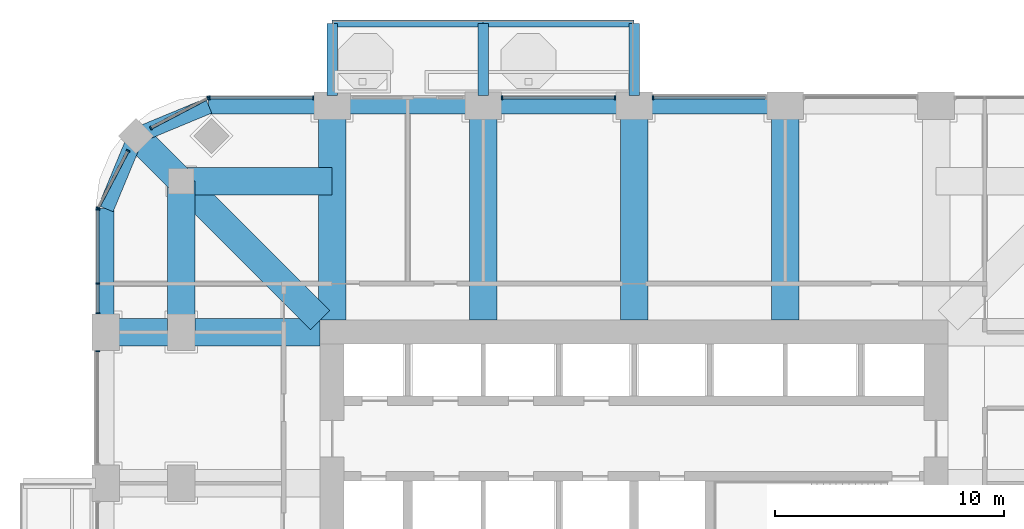
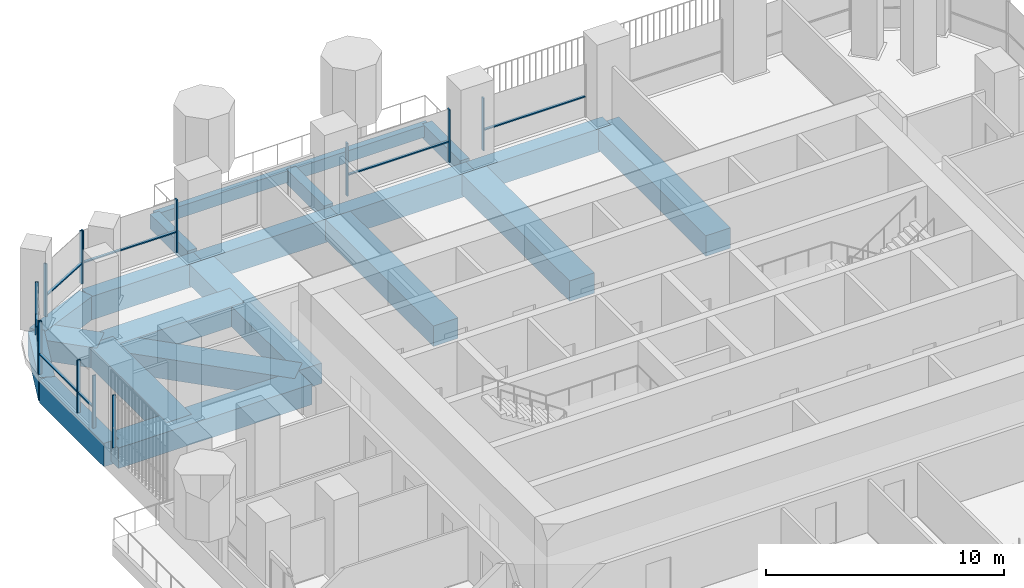
# One storey, part 6 of 20: 21 beams, 20 members, 7 elements without a shape of their own.
"""IFC4 building model written with IfcOpenShell, lengths in metres."""

from ifc_helpers import new_model, si_unit, direction, frame, origin, origin_2d, place, context, subcontext, project, spatial, rectangle, extrude, material, material_profile, profile_set, type_object, element, aggregate, save


model = new_model("IFC4")

# Units and contexts
model_context = context("Model", 3, precision=1e-05, world=origin(), true_north=direction((0.0, 1.0)))
body_context = subcontext(model_context, "Body", "Model", "MODEL_VIEW")
ifc_project = project(units=[si_unit("LENGTHUNIT", "METRE"), si_unit("AREAUNIT", "SQUARE_METRE"), si_unit("VOLUMEUNIT", "CUBIC_METRE"), si_unit("PLANEANGLEUNIT", "RADIAN"), si_unit("MASSUNIT", "GRAM", prefix="KILO")], contexts=[model_context])

# Site, building, storey
site_placement = place(None, origin())
site = spatial("IfcSite", under=ifc_project, at=site_placement, CompositionType="ELEMENT")
building_placement = place(site_placement, origin())
building = spatial("IfcBuilding", under=site, at=building_placement, Name="Cobogo Forest Laboratory Tower", CompositionType="ELEMENT")
storey_placement = place(building_placement, frame((0.0, 0.0, 193.5)))
storey = spatial("IfcBuildingStorey", under=building, at=storey_placement, Name="L44", CompositionType="ELEMENT", Elevation=193.5)

# Beams
ifc_material_1 = material(Name="Concrete HA-40 (C40/50)", Category="concrete")
ifc_material_profile_1 = material_profile(ifc_material_1, rectangle(XDim=0.449951171875, YDim=0.75, at=origin_2d()), Name="RC 450x750")
ifc_profile_set_1 = profile_set([ifc_material_profile_1], Name="Concrete HA-40 (C40/50)")
beam_type_1 = type_object("IfcBeamType", Name="Balcony cantilever beam 450x750", PredefinedType="BEAM", material=ifc_profile_set_1)
for number, where, z_axis, x_axis, name in (
    (1, (13.199951171875, 43.35009765625, -0.625), (0.0, 1.0, 0.0), (-1.0, 0.0, 0.0), "CB1 BAL-N1-C1 L44"),
    (2, (19.800048828125, 43.35009765625, -0.625), (0.0, 1.0, 0.0), (-1.0, 0.0, 0.0), "CB1 BAL-N1-C2 L44"),
    (3, (26.39990234375, 43.35009765625, -0.625), (0.0, 1.0, 0.0), (-1.0, 0.0, 0.0), "CB1 BAL-N1-C3 L44"),
):
    element("IfcBeam", number, at=place(storey_placement, frame(where, z_axis=z_axis, x_axis=x_axis)), inside=storey, type_object=beam_type_1, Name=name, PredefinedType="BEAM", context=body_context, shape_type="SweptSolid", body=[
        extrude(rectangle(XDim=0.449951171875, YDim=0.75, at=origin_2d()), origin(), (0.0, 0.0, 1.0), 3.14990234375),
    ])
ifc_material_profile_2 = material_profile(ifc_material_1, rectangle(XDim=0.300048828125, YDim=0.60009765625, at=origin_2d()), Name="RC 300x600")
ifc_profile_set_2 = profile_set([ifc_material_profile_2], Name="Concrete HA-40 (C40/50)")
beam_type_2 = type_object("IfcBeamType", Name="Balcony edge beam 300x600", PredefinedType="BEAM", material=ifc_profile_set_2)
beam_1_placement = place(storey_placement, frame((13.199951171875, 46.5, -0.550048828125), z_axis=(1.0, 0.0, 0.0), x_axis=(0.0, 1.0, 0.0)))
element("IfcBeam", 4, at=beam_1_placement, inside=storey, type_object=beam_type_2, Name="BB1 BAL-N1-T1 L44", PredefinedType="BEAM", context=body_context, shape_type="SweptSolid", body=[
    extrude(rectangle(XDim=0.300048828125, YDim=0.60009765625, at=origin_2d()), origin(), (0.0, 0.0, 1.0), 6.60009765625),
])
beam_2_placement = place(storey_placement, frame((19.800048828125, 46.5, -0.550048828125), z_axis=(1.0, 0.0, 0.0), x_axis=(0.0, 1.0, 0.0)))
element("IfcBeam", 5, at=beam_2_placement, inside=storey, type_object=beam_type_2, Name="BB1 BAL-N1-T2 L44", PredefinedType="BEAM", context=body_context, shape_type="SweptSolid", body=[
    extrude(rectangle(XDim=0.300048828125, YDim=0.60009765625, at=origin_2d()), origin(), (0.0, 0.0, 1.0), 6.599853515625),
])
ifc_material_profile_3 = material_profile(ifc_material_1, rectangle(XDim=1.199951171875, YDim=1.050048828125, at=origin_2d()), Name="RC 1200x1050")
ifc_profile_set_3 = profile_set([ifc_material_profile_3], Name="Concrete HA-40 (C40/50)")
beam_type_3 = type_object("IfcBeamType", Name="Laboratory floor wide beam 1200x1050", PredefinedType="BEAM", material=ifc_profile_set_3)
for number, where, z_axis, x_axis, name in (
    (6, (13.199951171875, 33.52490234375, -0.824951171875), (0.0, 1.0, 0.0), (-1.0, 0.0, 0.0), "RB1 R-3-N L44"),
    (7, (19.800048828125, 33.52490234375, -0.824951171875), (0.0, 1.0, 0.0), (-1.0, 0.0, 0.0), "RB1 R-4-N L44"),
    (8, (26.39990234375, 33.52490234375, -0.824951171875), (0.0, 1.0, 0.0), (-1.0, 0.0, 0.0), "RB1 R-5-N L44"),
    (9, (33.0, 33.52490234375, -0.824951171875), (0.0, 1.0, 0.0), (-1.0, 0.0, 0.0), "RB1 R-6-N L44"),
    (10, (12.675048828125, 33.0, -0.824951171875), (-1.0, 0.0, 0.0), (0.0, -1.0, 0.0), "RB1 R-F-W L44"),
):
    element("IfcBeam", number, at=place(storey_placement, frame(where, z_axis=z_axis, x_axis=x_axis)), inside=storey, type_object=beam_type_3, Name=name, PredefinedType="BEAM", context=body_context, shape_type="SweptSolid", body=[
        extrude(rectangle(XDim=1.199951171875, YDim=1.050048828125, at=origin_2d()), origin(), (0.0, 0.0, 1.0), 9.375),
    ])
beam_3_placement = place(storey_placement, frame((6.60009765625, 39.60009765625, -0.824951171875), z_axis=(0.0, -1.0, 0.0), x_axis=(1.0, 0.0, 0.0)))
element("IfcBeam", 11, at=beam_3_placement, inside=storey, type_object=beam_type_3, Name="RB1 G-NW-XC L44", PredefinedType="BEAM", context=body_context, shape_type="SweptSolid", body=[
    extrude(rectangle(XDim=1.199951171875, YDim=1.050048828125, at=origin_2d()), origin(), (0.0, 0.0, 1.0), 6.60009765625),
])
beam_4_placement = place(storey_placement, frame((6.60009765625, 39.60009765625, -0.824951171875), z_axis=(1.0, 0.0, 0.0), x_axis=(0.0, 1.0, 0.0)))
element("IfcBeam", 12, at=beam_4_placement, inside=storey, type_object=beam_type_3, Name="RB1 G-NW-YC L44", PredefinedType="BEAM", context=body_context, shape_type="SweptSolid", body=[
    extrude(rectangle(XDim=1.199951171875, YDim=1.050048828125, at=origin_2d()), origin(), (0.0, 0.0, 1.0), 6.599853515625),
])
beam_5_placement = place(storey_placement, frame((4.617919921875, 41.58203125, -0.824951171875), z_axis=(0.707150328948, -0.707063230743, 0.0), x_axis=(0.707063230743, 0.707150328948, 0.0)))
element("IfcBeam", 13, at=beam_5_placement, inside=storey, type_object=beam_type_3, Name="RB1 G-NW-D1 L44", PredefinedType="BEAM", context=body_context, shape_type="SweptSolid", body=[
    extrude(rectangle(XDim=1.199951171875, YDim=1.050048828125, at=origin_2d()), origin(), (0.0, 0.0, 1.0), 2.802978515625),
])
beam_6_placement = place(storey_placement, frame((6.60009765625, 39.60009765625, -0.824951171875), z_axis=(0.707092572697, -0.70712098939, 0.0), x_axis=(0.70712098939, 0.707092572697, 0.0)))
element("IfcBeam", 14, at=beam_6_placement, inside=storey, type_object=beam_type_3, Name="RB1 G-NW-D2 L44", PredefinedType="BEAM", context=body_context, shape_type="SweptSolid", body=[
    extrude(rectangle(XDim=1.199951171875, YDim=1.050048828125, at=origin_2d()), origin(), (0.0, 0.0, 1.0), 8.591552734375),
])

# Curtain wall, member
ifc_material_2 = material(Name="Aluminium curtain wall", Category="aluminium")
curtain_wall_type = type_object("IfcCurtainWallType", Name="CW-2 unitised curtain wall, solar control glazing, laboratory floors zones C and D", PredefinedType="USERDEFINED", material=ifc_material_2)
curtain_wall_1_placement = place(storey_placement, origin())
curtain_wall_1 = element("IfcCurtainWall", 15, at=curtain_wall_1_placement, inside=storey, type_object=curtain_wall_type, Name="Curtain wall 18 L44", ObjectType="UNITISED CURTAIN WALL", PredefinedType="USERDEFINED")
ifc_material_3 = material(Name="Aluminium mullion", Category="aluminium")
ifc_material_profile_4 = material_profile(ifc_material_3, rectangle(XDim=0.06005859375, YDim=0.159912109375, at=origin_2d()), Name="AL 60x160")
ifc_profile_set_4 = profile_set([ifc_material_profile_4], Name="Aluminium mullion")
member_type_1 = type_object("IfcMemberType", Name="MU-1 aluminium mullion 60x160", PredefinedType="MULLION", material=ifc_profile_set_4)
member_1_placement = place(storey_placement, frame((27.22998046875, 43.25, 0.0), z_axis=(0.0, 0.0, 1.0), x_axis=(-1.0, 0.0, 0.0)))
member_1 = element("IfcMember", 16, at=member_1_placement, type_object=member_type_1, Name="CW-2 mullion 2", PredefinedType="MULLION", context=body_context, shape_type="SweptSolid", body=[
    extrude(rectangle(XDim=0.06005859375, YDim=0.159912109375, at=origin_2d()), origin(), (0.0, 0.0, 1.0), 2.699951171875),
])

# Curtain wall, members
curtain_wall_2_placement = place(storey_placement, origin())
curtain_wall_2 = element("IfcCurtainWall", 17, at=curtain_wall_2_placement, inside=storey, type_object=curtain_wall_type, Name="Curtain wall 19 L44", ObjectType="UNITISED CURTAIN WALL", PredefinedType="USERDEFINED")
member_2_placement = place(storey_placement, frame((25.570068359375, 43.25, 0.0), z_axis=(0.0, 0.0, 1.0), x_axis=(-1.0, 0.0, 0.0)))
member_2 = element("IfcMember", 18, at=member_2_placement, type_object=member_type_1, Name="CW-2 mullion 1", PredefinedType="MULLION", context=body_context, shape_type="SweptSolid", body=[
    extrude(rectangle(XDim=0.06005859375, YDim=0.159912109375, at=origin_2d()), origin(), (0.0, 0.0, 1.0), 2.699951171875),
])
member_3_placement = place(storey_placement, frame((20.6298828125, 43.25, 0.0), z_axis=(0.0, 0.0, 1.0), x_axis=(-1.0, 0.0, 0.0)))
member_3 = element("IfcMember", 19, at=member_3_placement, type_object=member_type_1, Name="CW-2 mullion 2", PredefinedType="MULLION", context=body_context, shape_type="SweptSolid", body=[
    extrude(rectangle(XDim=0.06005859375, YDim=0.159912109375, at=origin_2d()), origin(), (0.0, 0.0, 1.0), 2.699951171875),
])

curtain_wall_3_placement = place(storey_placement, origin())
curtain_wall_3 = element("IfcCurtainWall", 20, at=curtain_wall_3_placement, inside=storey, type_object=curtain_wall_type, Name="Curtain wall 21 L44", ObjectType="UNITISED CURTAIN WALL", PredefinedType="USERDEFINED")
member_4_placement = place(storey_placement, frame((12.3701171875, 43.25, 0.0), z_axis=(0.0, 0.0, 1.0), x_axis=(-1.0, 0.0, 0.0)))
member_4 = element("IfcMember", 21, at=member_4_placement, type_object=member_type_1, Name="CW-2 mullion 1", PredefinedType="MULLION", context=body_context, shape_type="SweptSolid", body=[
    extrude(rectangle(XDim=0.06005859375, YDim=0.159912109375, at=origin_2d()), origin(), (0.0, 0.0, 1.0), 2.699951171875),
])
member_5_placement = place(storey_placement, frame((7.830078125, 43.25, 0.0), z_axis=(0.0, 0.0, 1.0), x_axis=(-1.0, 0.0, 0.0)))
member_5 = element("IfcMember", 22, at=member_5_placement, type_object=member_type_1, Name="CW-2 mullion 2", PredefinedType="MULLION", context=body_context, shape_type="SweptSolid", body=[
    extrude(rectangle(XDim=0.06005859375, YDim=0.159912109375, at=origin_2d()), origin(), (0.0, 0.0, 1.0), 2.699951171875),
])

curtain_wall_4_placement = place(storey_placement, origin())
curtain_wall_4 = element("IfcCurtainWall", 23, at=curtain_wall_4_placement, inside=storey, type_object=curtain_wall_type, Name="Curtain wall 22 L44", ObjectType="UNITISED CURTAIN WALL", PredefinedType="USERDEFINED")
member_6_placement = place(storey_placement, frame((7.7734375, 43.236083984375, 0.0), z_axis=(0.0, 0.0, 1.0), x_axis=(-0.885686484356, -0.464283804832, 0.0)))
member_6 = element("IfcMember", 24, at=member_6_placement, type_object=member_type_1, Name="CW-2 mullion 1", PredefinedType="MULLION", context=body_context, shape_type="SweptSolid", body=[
    extrude(rectangle(XDim=0.06005859375, YDim=0.159912109375, at=origin_2d()), origin(), (0.0, 0.0, 1.0), 2.699951171875),
])
member_7_placement = place(storey_placement, frame((5.275634765625, 41.9267578125, 0.0), z_axis=(0.0, 0.0, 1.0), x_axis=(-0.885686484356, -0.464283804832, 0.0)))
member_7 = element("IfcMember", 25, at=member_7_placement, type_object=member_type_1, Name="CW-2 mullion 2", PredefinedType="MULLION", context=body_context, shape_type="SweptSolid", body=[
    extrude(rectangle(XDim=0.06005859375, YDim=0.159912109375, at=origin_2d()), origin(), (0.0, 0.0, 1.0), 2.699951171875),
])

curtain_wall_5_placement = place(storey_placement, origin())
curtain_wall_5 = element("IfcCurtainWall", 26, at=curtain_wall_5_placement, inside=storey, type_object=curtain_wall_type, Name="Curtain wall 23 L44", ObjectType="UNITISED CURTAIN WALL", PredefinedType="USERDEFINED")
member_8_placement = place(storey_placement, frame((4.2734375, 40.924560546875, 0.0), z_axis=(0.0, 0.0, 1.0), x_axis=(-0.464283804832, -0.885686484356, 0.0)))
member_8 = element("IfcMember", 27, at=member_8_placement, type_object=member_type_1, Name="CW-2 mullion 1", PredefinedType="MULLION", context=body_context, shape_type="SweptSolid", body=[
    extrude(rectangle(XDim=0.06005859375, YDim=0.159912109375, at=origin_2d()), origin(), (0.0, 0.0, 1.0), 2.699951171875),
])
member_9_placement = place(storey_placement, frame((2.9638671875, 38.426513671875, 0.0), z_axis=(0.0, 0.0, 1.0), x_axis=(-0.464283804832, -0.885686484356, 0.0)))
member_9 = element("IfcMember", 28, at=member_9_placement, type_object=member_type_1, Name="CW-2 mullion 2", PredefinedType="MULLION", context=body_context, shape_type="SweptSolid", body=[
    extrude(rectangle(XDim=0.06005859375, YDim=0.159912109375, at=origin_2d()), origin(), (0.0, 0.0, 1.0), 2.699951171875),
])

curtain_wall_6_placement = place(storey_placement, origin())
curtain_wall_6 = element("IfcCurtainWall", 29, at=curtain_wall_6_placement, inside=storey, type_object=curtain_wall_type, Name="Curtain wall 24 L44", ObjectType="UNITISED CURTAIN WALL", PredefinedType="USERDEFINED")
member_10_placement = place(storey_placement, frame((2.949951171875, 38.3701171875, 0.0), z_axis=(0.0, 0.0, 1.0), x_axis=(0.0, -1.0, 0.0)))
member_10 = element("IfcMember", 30, at=member_10_placement, type_object=member_type_1, Name="CW-2 mullion 1", PredefinedType="MULLION", context=body_context, shape_type="SweptSolid", body=[
    extrude(rectangle(XDim=0.06005859375, YDim=0.159912109375, at=origin_2d()), origin(), (0.0, 0.0, 1.0), 2.699951171875),
])
member_11_placement = place(storey_placement, frame((2.949951171875, 35.125, 0.0), z_axis=(0.0, 0.0, 1.0), x_axis=(0.0, -1.0, 0.0)))
member_11 = element("IfcMember", 31, at=member_11_placement, type_object=member_type_1, Name="CW-2 mullion 2", PredefinedType="MULLION", context=body_context, shape_type="SweptSolid", body=[
    extrude(rectangle(XDim=0.06005859375, YDim=0.159912109375, at=origin_2d()), origin(), (0.0, 0.0, 1.0), 2.699951171875),
])
member_12_placement = place(storey_placement, frame((2.949951171875, 33.830078125, 0.0), z_axis=(0.0, 0.0, 1.0), x_axis=(0.0, -1.0, 0.0)))
member_12 = element("IfcMember", 32, at=member_12_placement, type_object=member_type_1, Name="CW-2 mullion 3", PredefinedType="MULLION", context=body_context, shape_type="SweptSolid", body=[
    extrude(rectangle(XDim=0.06005859375, YDim=0.159912109375, at=origin_2d()), origin(), (0.0, 0.0, 1.0), 2.699951171875),
])

# Curtain wall, member
curtain_wall_7_placement = place(storey_placement, origin())
curtain_wall_7 = element("IfcCurtainWall", 33, at=curtain_wall_7_placement, inside=storey, type_object=curtain_wall_type, Name="Curtain wall 25 L44", ObjectType="UNITISED CURTAIN WALL", PredefinedType="USERDEFINED")
member_13_placement = place(storey_placement, frame((2.949951171875, 32.169921875, 0.0), z_axis=(0.0, 0.0, 1.0), x_axis=(0.0, -1.0, 0.0)))
member_13 = element("IfcMember", 34, at=member_13_placement, type_object=member_type_1, Name="CW-2 mullion 1", PredefinedType="MULLION", context=body_context, shape_type="SweptSolid", body=[
    extrude(rectangle(XDim=0.06005859375, YDim=0.159912109375, at=origin_2d()), origin(), (0.0, 0.0, 1.0), 2.699951171875),
])
aggregate(curtain_wall_7, [member_13])

# Beams
ifc_material_profile_5 = material_profile(ifc_material_1, rectangle(XDim=0.699951171875, YDim=1.199951171875, at=origin_2d()), Name="RC 700x1200")
ifc_profile_set_5 = profile_set([ifc_material_profile_5], Name="Concrete HA-40 (C40/50)")
beam_type_4 = type_object("IfcBeamType", Name="Perimeter edge beam 700x1200", PredefinedType="BEAM", material=ifc_profile_set_5)
beam_7_placement = place(storey_placement, frame((13.199951171875, 42.89990234375, -0.89990234375), z_axis=(1.0, 0.0, 0.0), x_axis=(0.0, 1.0, 0.0)))
element("IfcBeam", 35, at=beam_7_placement, inside=storey, type_object=beam_type_4, Name="EB1 E-N1 L44", PredefinedType="BEAM", context=body_context, shape_type="SweptSolid", body=[
    extrude(rectangle(XDim=0.699951171875, YDim=1.199951171875, at=origin_2d()), origin(), (0.0, 0.0, 1.0), 6.60009765625),
])
beam_8_placement = place(storey_placement, frame((19.800048828125, 42.89990234375, -0.89990234375), z_axis=(1.0, 0.0, 0.0), x_axis=(0.0, 1.0, 0.0)))
element("IfcBeam", 36, at=beam_8_placement, inside=storey, type_object=beam_type_4, Name="EB1 E-N2 L44", PredefinedType="BEAM", context=body_context, shape_type="SweptSolid", body=[
    extrude(rectangle(XDim=0.699951171875, YDim=1.199951171875, at=origin_2d()), origin(), (0.0, 0.0, 1.0), 6.599853515625),
])
beam_9_placement = place(storey_placement, frame((26.39990234375, 42.89990234375, -0.89990234375), z_axis=(1.0, 0.0, 0.0), x_axis=(0.0, 1.0, 0.0)))
element("IfcBeam", 37, at=beam_9_placement, inside=storey, type_object=beam_type_4, Name="EB1 E-N3 L44", PredefinedType="BEAM", context=body_context, shape_type="SweptSolid", body=[
    extrude(rectangle(XDim=0.699951171875, YDim=1.199951171875, at=origin_2d()), origin(), (0.0, 0.0, 1.0), 6.60009765625),
])
beam_10_placement = place(storey_placement, frame((13.199951171875, 42.89990234375, -0.89990234375), z_axis=(-1.0, 0.0, 0.0), x_axis=(0.0, -1.0, 0.0)))
element("IfcBeam", 38, at=beam_10_placement, inside=storey, type_object=beam_type_4, Name="EB1 E-NWN1 L44", PredefinedType="BEAM", context=body_context, shape_type="SweptSolid", body=[
    extrude(rectangle(XDim=0.699951171875, YDim=1.199951171875, at=origin_2d()), origin(), (0.0, 0.0, 1.0), 5.39990234375),
])
beam_11_placement = place(storey_placement, frame((7.800048828125, 42.89990234375, -0.89990234375), z_axis=(-0.923901072997, -0.382631424892, 0.0), x_axis=(0.382631424892, -0.923901072997, 0.0)))
element("IfcBeam", 39, at=beam_11_placement, inside=storey, type_object=beam_type_4, Name="EB1 E-NWN2 L44", PredefinedType="BEAM", context=body_context, shape_type="SweptSolid", body=[
    extrude(rectangle(XDim=0.699951171875, YDim=1.199951171875, at=origin_2d()), origin(), (0.0, 0.0, 1.0), 3.4443359375),
])
beam_12_placement = place(storey_placement, frame((3.300048828125, 33.0, -0.89990234375), z_axis=(0.0, 1.0, 0.0), x_axis=(-1.0, 0.0, 0.0)))
element("IfcBeam", 40, at=beam_12_placement, inside=storey, type_object=beam_type_4, Name="EB1 E-NWW1 L44", PredefinedType="BEAM", context=body_context, shape_type="SweptSolid", body=[
    extrude(rectangle(XDim=0.699951171875, YDim=1.199951171875, at=origin_2d()), origin(), (0.0, 0.0, 1.0), 5.39990234375),
])
beam_13_placement = place(storey_placement, frame((3.300048828125, 38.39990234375, -0.89990234375), z_axis=(0.382631424892, 0.923901072997, 0.0), x_axis=(-0.923901072997, 0.382631424892, 0.0)))
element("IfcBeam", 41, at=beam_13_placement, inside=storey, type_object=beam_type_4, Name="EB1 E-NWW2 L44", PredefinedType="BEAM", context=body_context, shape_type="SweptSolid", body=[
    extrude(rectangle(XDim=0.699951171875, YDim=1.199951171875, at=origin_2d()), origin(), (0.0, 0.0, 1.0), 3.4443359375),
])

# Member
ifc_material_4 = material(Name="Aluminium transom", Category="aluminium")
ifc_material_profile_6 = material_profile(ifc_material_4, rectangle(XDim=0.1201171875, YDim=0.06005859375, at=origin_2d()), Name="AL 60x120")
ifc_profile_set_6 = profile_set([ifc_material_profile_6], Name="Aluminium transom")
member_type_2 = type_object("IfcMemberType", Name="TR-1 aluminium transom 60x120", PredefinedType="USERDEFINED", material=ifc_profile_set_6)
member_14_placement = place(storey_placement, frame((32.139892578125, 43.25, 1.050048828125), z_axis=(-1.0, 0.0, 0.0), x_axis=(0.0, -1.0, 0.0)))
member_14 = element("IfcMember", 42, at=member_14_placement, type_object=member_type_2, Name="CW-2 transom 1.1", ObjectType="TRANSOM", PredefinedType="USERDEFINED", context=body_context, shape_type="SweptSolid", body=[
    extrude(rectangle(XDim=0.1201171875, YDim=0.06005859375, at=origin_2d()), origin(), (0.0, 0.0, 1.0), 4.8798828125),
])

aggregate(curtain_wall_1, [member_1, member_14])

member_15_placement = place(storey_placement, frame((25.5400390625, 43.25, 1.050048828125), z_axis=(-1.0, 0.0, 0.0), x_axis=(0.0, -1.0, 0.0)))
member_15 = element("IfcMember", 43, at=member_15_placement, type_object=member_type_2, Name="CW-2 transom 1.1", ObjectType="TRANSOM", PredefinedType="USERDEFINED", context=body_context, shape_type="SweptSolid", body=[
    extrude(rectangle(XDim=0.1201171875, YDim=0.06005859375, at=origin_2d()), origin(), (0.0, 0.0, 1.0), 4.880126953125),
])

aggregate(curtain_wall_2, [member_2, member_3, member_15])

member_16_placement = place(storey_placement, frame((12.340087890625, 43.25, 1.050048828125), z_axis=(-1.0, 0.0, 0.0), x_axis=(0.0, -1.0, 0.0)))
member_16 = element("IfcMember", 44, at=member_16_placement, type_object=member_type_2, Name="CW-2 transom 1.1", ObjectType="TRANSOM", PredefinedType="USERDEFINED", context=body_context, shape_type="SweptSolid", body=[
    extrude(rectangle(XDim=0.1201171875, YDim=0.06005859375, at=origin_2d()), origin(), (0.0, 0.0, 1.0), 4.47998046875),
])

aggregate(curtain_wall_3, [member_4, member_5, member_16])

member_17_placement = place(storey_placement, frame((7.746826171875, 43.22216796875, 1.050048828125), z_axis=(-0.88570166389, -0.464254846591, 0.0), x_axis=(0.464254846591, -0.88570166389, 0.0)))
member_17 = element("IfcMember", 45, at=member_17_placement, type_object=member_type_2, Name="CW-2 transom 1.1", ObjectType="TRANSOM", PredefinedType="USERDEFINED", context=body_context, shape_type="SweptSolid", body=[
    extrude(rectangle(XDim=0.1201171875, YDim=0.06005859375, at=origin_2d()), origin(), (0.0, 0.0, 1.0), 2.76025390625),
])

aggregate(curtain_wall_4, [member_6, member_7, member_17])

member_18_placement = place(storey_placement, frame((4.259521484375, 40.89794921875, 1.050048828125), z_axis=(-0.464324225592, -0.885665294301, 0.0), x_axis=(0.885665294301, -0.464324225592, 0.0)))
member_18 = element("IfcMember", 46, at=member_18_placement, type_object=member_type_2, Name="CW-2 transom 1.1", ObjectType="TRANSOM", PredefinedType="USERDEFINED", context=body_context, shape_type="SweptSolid", body=[
    extrude(rectangle(XDim=0.1201171875, YDim=0.06005859375, at=origin_2d()), origin(), (0.0, 0.0, 1.0), 2.760498046875),
])

aggregate(curtain_wall_5, [member_8, member_9, member_18])

member_19_placement = place(storey_placement, frame((2.949951171875, 38.340087890625, 1.050048828125), z_axis=(0.0, -1.0, 0.0), x_axis=(1.0, 0.0, 0.0)))
member_19 = element("IfcMember", 47, at=member_19_placement, type_object=member_type_2, Name="CW-2 transom 1.1", ObjectType="TRANSOM", PredefinedType="USERDEFINED", context=body_context, shape_type="SweptSolid", body=[
    extrude(rectangle(XDim=0.1201171875, YDim=0.06005859375, at=origin_2d()), origin(), (0.0, 0.0, 1.0), 3.18505859375),
])

member_20_placement = place(storey_placement, frame((2.949951171875, 35.094970703125, 1.050048828125), z_axis=(0.0, -1.0, 0.0), x_axis=(1.0, 0.0, 0.0)))
member_20 = element("IfcMember", 48, at=member_20_placement, type_object=member_type_2, Name="CW-2 transom 2.1", ObjectType="TRANSOM", PredefinedType="USERDEFINED", context=body_context, shape_type="SweptSolid", body=[
    extrude(rectangle(XDim=0.1201171875, YDim=0.06005859375, at=origin_2d()), origin(), (0.0, 0.0, 1.0), 1.23486328125),
])

aggregate(curtain_wall_6, [member_10, member_11, member_12, member_19, member_20])

save(model, "model.ifc")
